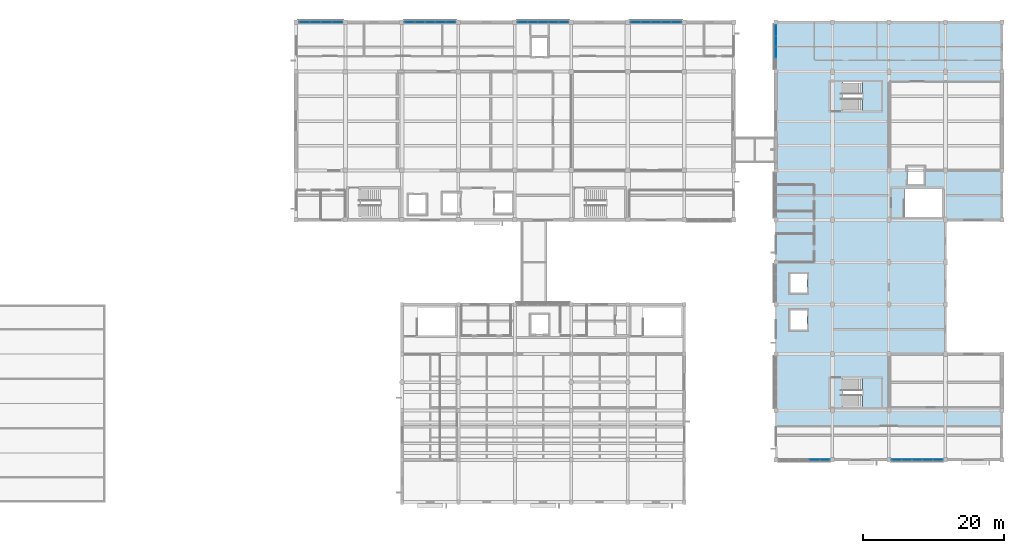
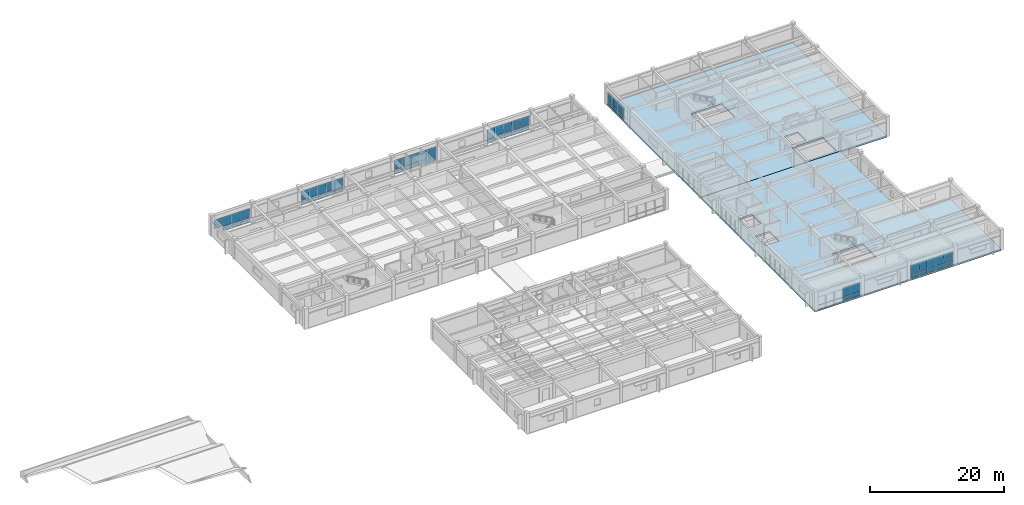
# One storey, part 18 of 33: 57 plates, 4 slabs, 9 elements without a shape of their own.
"""IFC4 building model written with IfcOpenShell, lengths in metres."""

from ifc_helpers import new_model, si_unit, direction, frame, origin, origin_2d, place, context, subcontext, project, spatial, polyline, rectangle, outline, extrude, material, layer, layer_set, type_object, element, aggregate, save


model = new_model("IFC4")

# Units and contexts
model_context = context("Model", 3, precision=1e-05, world=origin(), true_north=direction((0.0, 1.0)))
body_context = subcontext(model_context, "Body", "Model", "MODEL_VIEW")
ifc_project = project(units=[si_unit("LENGTHUNIT", "METRE"), si_unit("AREAUNIT", "SQUARE_METRE"), si_unit("VOLUMEUNIT", "CUBIC_METRE"), si_unit("PLANEANGLEUNIT", "RADIAN"), si_unit("MASSUNIT", "GRAM", prefix="KILO")], contexts=[model_context])

# Site, building, storey
site_placement = place(None, origin())
site = spatial("IfcSite", under=ifc_project, at=site_placement, CompositionType="ELEMENT")
building_placement = place(site_placement, origin())
building = spatial("IfcBuilding", under=site, at=building_placement, Name="Naurynzar Civic Courthouse", CompositionType="ELEMENT")
storey_placement = place(building_placement, frame((0.0, 0.0, 22.050048828125)))
storey = spatial("IfcBuildingStorey", under=building, at=storey_placement, Name="L06", CompositionType="ELEMENT", Elevation=22.050048828125)

# Curtain wall, plates
ifc_material_1 = material(Name="Aluminium 6063-T6", Category="aluminium")
ifc_layer_1 = layer(ifc_material_1, 0.179931640625)
ifc_layer_set_1 = layer_set([ifc_layer_1], Name="CW-UNIT-1500")
curtain_wall_type = type_object("IfcCurtainWallType", Name="CW-UNIT-1500", PredefinedType="NOTDEFINED", material=ifc_layer_set_1)
curtain_wall_1_placement = place(storey_placement, origin())
curtain_wall_1 = element("IfcCurtainWall", 1, at=curtain_wall_1_placement, inside=storey, type_object=curtain_wall_type, Name="V2 unitised curtain wall 43 L06", PredefinedType="NOTDEFINED")
ifc_material_2 = material(Name="Tempered Laminated Low-E Glass", Category="glass")
ifc_layer_2 = layer(ifc_material_2, 0.031982421875)
ifc_layer_set_2 = layer_set([ifc_layer_2], Name="CWP-IGU-32")
plate_type = type_object("IfcPlateType", Name="CWP-IGU-32", PredefinedType="CURTAIN_PANEL", material=ifc_layer_set_2)
plate_1_placement = place(storey_placement, frame((63.161865234375, 72.0, 0.8798828125), z_axis=(0.0, 0.0, 1.0), x_axis=(1.0, 0.0, 0.0)))
plate_1 = element("IfcPlate", 2, at=plate_1_placement, type_object=plate_type, Name="CW-01 panel 1.2", PredefinedType="CURTAIN_PANEL", context=body_context, shape_type="SweptSolid", body=[
    extrude(rectangle(XDim=1.478759765625, YDim=0.031982421875, at=origin_2d()), origin(), (0.0, 0.0, 1.0), 1.6201171875),
])
plate_2_placement = place(storey_placement, frame((64.715576171875, 72.0, 0.06005859375), z_axis=(0.0, 0.0, 1.0), x_axis=(1.0, 0.0, 0.0)))
plate_2 = element("IfcPlate", 3, at=plate_2_placement, type_object=plate_type, Name="CW-01 panel 2.1", PredefinedType="CURTAIN_PANEL", context=body_context, shape_type="SweptSolid", body=[
    extrude(rectangle(XDim=1.5087890625, YDim=0.031982421875, at=origin_2d()), origin(), (0.0, 0.0, 1.0), 0.760009765625),
])
plate_3_placement = place(storey_placement, frame((64.715576171875, 72.0, 0.8798828125), z_axis=(0.0, 0.0, 1.0), x_axis=(1.0, 0.0, 0.0)))
plate_3 = element("IfcPlate", 4, at=plate_3_placement, type_object=plate_type, Name="CW-01 panel 2.2", PredefinedType="CURTAIN_PANEL", context=body_context, shape_type="SweptSolid", body=[
    extrude(rectangle(XDim=1.5087890625, YDim=0.031982421875, at=origin_2d()), origin(), (0.0, 0.0, 1.0), 1.6201171875),
])
plate_4_placement = place(storey_placement, frame((66.284423828125, 72.0, 0.06005859375), z_axis=(0.0, 0.0, 1.0), x_axis=(1.0, 0.0, 0.0)))
plate_4 = element("IfcPlate", 5, at=plate_4_placement, type_object=plate_type, Name="CW-01 panel 3.1", PredefinedType="CURTAIN_PANEL", context=body_context, shape_type="SweptSolid", body=[
    extrude(rectangle(XDim=1.5087890625, YDim=0.031982421875, at=origin_2d()), origin(), (0.0, 0.0, 1.0), 0.760009765625),
])
plate_5_placement = place(storey_placement, frame((66.284423828125, 72.0, 0.8798828125), z_axis=(0.0, 0.0, 1.0), x_axis=(1.0, 0.0, 0.0)))
plate_5 = element("IfcPlate", 6, at=plate_5_placement, type_object=plate_type, Name="CW-01 panel 3.2", PredefinedType="CURTAIN_PANEL", context=body_context, shape_type="SweptSolid", body=[
    extrude(rectangle(XDim=1.5087890625, YDim=0.031982421875, at=origin_2d()), origin(), (0.0, 0.0, 1.0), 1.6201171875),
])
plate_6_placement = place(storey_placement, frame((67.838134765625, 72.0, 0.06005859375), z_axis=(0.0, 0.0, 1.0), x_axis=(1.0, 0.0, 0.0)))
plate_6 = element("IfcPlate", 7, at=plate_6_placement, type_object=plate_type, Name="CW-01 panel 4.1", PredefinedType="CURTAIN_PANEL", context=body_context, shape_type="SweptSolid", body=[
    extrude(rectangle(XDim=1.478759765625, YDim=0.031982421875, at=origin_2d()), origin(), (0.0, 0.0, 1.0), 0.760009765625),
])
plate_7_placement = place(storey_placement, frame((67.838134765625, 72.0, 0.8798828125), z_axis=(0.0, 0.0, 1.0), x_axis=(1.0, 0.0, 0.0)))
plate_7 = element("IfcPlate", 8, at=plate_7_placement, type_object=plate_type, Name="CW-01 panel 4.2", PredefinedType="CURTAIN_PANEL", context=body_context, shape_type="SweptSolid", body=[
    extrude(rectangle(XDim=1.478759765625, YDim=0.031982421875, at=origin_2d()), origin(), (0.0, 0.0, 1.0), 1.6201171875),
])
aggregate(curtain_wall_1, [plate_1, plate_2, plate_3, plate_4, plate_5, plate_6, plate_7])

curtain_wall_2_placement = place(storey_placement, origin())
curtain_wall_2 = element("IfcCurtainWall", 9, at=curtain_wall_2_placement, inside=storey, type_object=curtain_wall_type, Name="V2 unitised curtain wall 44 L06", PredefinedType="NOTDEFINED")
plate_8_placement = place(storey_placement, frame((78.10498046875, 72.0, 0.06005859375), z_axis=(0.0, 0.0, 1.0), x_axis=(1.0, 0.0, 0.0)))
plate_8 = element("IfcPlate", 10, at=plate_8_placement, type_object=plate_type, Name="CW-01 panel 1.1", PredefinedType="CURTAIN_PANEL", context=body_context, shape_type="SweptSolid", body=[
    extrude(rectangle(XDim=1.364990234375, YDim=0.031982421875, at=origin_2d()), origin(), (0.0, 0.0, 1.0), 0.760009765625),
])
plate_9_placement = place(storey_placement, frame((78.10498046875, 72.0, 0.8798828125), z_axis=(0.0, 0.0, 1.0), x_axis=(1.0, 0.0, 0.0)))
plate_9 = element("IfcPlate", 11, at=plate_9_placement, type_object=plate_type, Name="CW-01 panel 1.2", PredefinedType="CURTAIN_PANEL", context=body_context, shape_type="SweptSolid", body=[
    extrude(rectangle(XDim=1.364990234375, YDim=0.031982421875, at=origin_2d()), origin(), (0.0, 0.0, 1.0), 1.6201171875),
])
plate_10_placement = place(storey_placement, frame((79.544921875, 72.0, 0.06005859375), z_axis=(0.0, 0.0, 1.0), x_axis=(1.0, 0.0, 0.0)))
plate_10 = element("IfcPlate", 12, at=plate_10_placement, type_object=plate_type, Name="CW-01 panel 2.1", PredefinedType="CURTAIN_PANEL", context=body_context, shape_type="SweptSolid", body=[
    extrude(rectangle(XDim=1.39501953125, YDim=0.031982421875, at=origin_2d()), origin(), (0.0, 0.0, 1.0), 0.760009765625),
])
plate_11_placement = place(storey_placement, frame((79.544921875, 72.0, 0.8798828125), z_axis=(0.0, 0.0, 1.0), x_axis=(1.0, 0.0, 0.0)))
plate_11 = element("IfcPlate", 13, at=plate_11_placement, type_object=plate_type, Name="CW-01 panel 2.2", PredefinedType="CURTAIN_PANEL", context=body_context, shape_type="SweptSolid", body=[
    extrude(rectangle(XDim=1.39501953125, YDim=0.031982421875, at=origin_2d()), origin(), (0.0, 0.0, 1.0), 1.6201171875),
])
plate_12_placement = place(storey_placement, frame((81.0, 72.0, 0.06005859375), z_axis=(0.0, 0.0, 1.0), x_axis=(1.0, 0.0, 0.0)))
plate_12 = element("IfcPlate", 14, at=plate_12_placement, type_object=plate_type, Name="CW-01 panel 3.1", PredefinedType="CURTAIN_PANEL", context=body_context, shape_type="SweptSolid", body=[
    extrude(rectangle(XDim=1.39501953125, YDim=0.031982421875, at=origin_2d()), origin(), (0.0, 0.0, 1.0), 0.760009765625),
])
plate_13_placement = place(storey_placement, frame((81.0, 72.0, 0.8798828125), z_axis=(0.0, 0.0, 1.0), x_axis=(1.0, 0.0, 0.0)))
plate_13 = element("IfcPlate", 15, at=plate_13_placement, type_object=plate_type, Name="CW-01 panel 3.2", PredefinedType="CURTAIN_PANEL", context=body_context, shape_type="SweptSolid", body=[
    extrude(rectangle(XDim=1.39501953125, YDim=0.031982421875, at=origin_2d()), origin(), (0.0, 0.0, 1.0), 1.6201171875),
])
plate_14_placement = place(storey_placement, frame((82.455078125, 72.0, 0.06005859375), z_axis=(0.0, 0.0, 1.0), x_axis=(1.0, 0.0, 0.0)))
plate_14 = element("IfcPlate", 16, at=plate_14_placement, type_object=plate_type, Name="CW-01 panel 4.1", PredefinedType="CURTAIN_PANEL", context=body_context, shape_type="SweptSolid", body=[
    extrude(rectangle(XDim=1.39501953125, YDim=0.031982421875, at=origin_2d()), origin(), (0.0, 0.0, 1.0), 0.760009765625),
])
plate_15_placement = place(storey_placement, frame((82.455078125, 72.0, 0.8798828125), z_axis=(0.0, 0.0, 1.0), x_axis=(1.0, 0.0, 0.0)))
plate_15 = element("IfcPlate", 17, at=plate_15_placement, type_object=plate_type, Name="CW-01 panel 4.2", PredefinedType="CURTAIN_PANEL", context=body_context, shape_type="SweptSolid", body=[
    extrude(rectangle(XDim=1.39501953125, YDim=0.031982421875, at=origin_2d()), origin(), (0.0, 0.0, 1.0), 1.6201171875),
])
plate_16_placement = place(storey_placement, frame((83.89501953125, 72.0, 0.06005859375), z_axis=(0.0, 0.0, 1.0), x_axis=(1.0, 0.0, 0.0)))
plate_16 = element("IfcPlate", 18, at=plate_16_placement, type_object=plate_type, Name="CW-01 panel 5.1", PredefinedType="CURTAIN_PANEL", context=body_context, shape_type="SweptSolid", body=[
    extrude(rectangle(XDim=1.364990234375, YDim=0.031982421875, at=origin_2d()), origin(), (0.0, 0.0, 1.0), 0.760009765625),
])
plate_17_placement = place(storey_placement, frame((83.89501953125, 72.0, 0.8798828125), z_axis=(0.0, 0.0, 1.0), x_axis=(1.0, 0.0, 0.0)))
plate_17 = element("IfcPlate", 19, at=plate_17_placement, type_object=plate_type, Name="CW-01 panel 5.2", PredefinedType="CURTAIN_PANEL", context=body_context, shape_type="SweptSolid", body=[
    extrude(rectangle(XDim=1.364990234375, YDim=0.031982421875, at=origin_2d()), origin(), (0.0, 0.0, 1.0), 1.6201171875),
])
aggregate(curtain_wall_2, [plate_8, plate_9, plate_10, plate_11, plate_12, plate_13, plate_14, plate_15, plate_16, plate_17])

curtain_wall_3_placement = place(storey_placement, origin())
curtain_wall_3 = element("IfcCurtainWall", 20, at=curtain_wall_3_placement, inside=storey, type_object=curtain_wall_type, Name="V2 unitised curtain wall 45 L06", PredefinedType="NOTDEFINED")
plate_18_placement = place(storey_placement, frame((94.10498046875, 72.0, 0.06005859375), z_axis=(0.0, 0.0, 1.0), x_axis=(1.0, 0.0, 0.0)))
plate_18 = element("IfcPlate", 21, at=plate_18_placement, type_object=plate_type, Name="CW-01 panel 1.1", PredefinedType="CURTAIN_PANEL", context=body_context, shape_type="SweptSolid", body=[
    extrude(rectangle(XDim=1.364990234375, YDim=0.031982421875, at=origin_2d()), origin(), (0.0, 0.0, 1.0), 0.760009765625),
])
plate_19_placement = place(storey_placement, frame((94.10498046875, 72.0, 0.8798828125), z_axis=(0.0, 0.0, 1.0), x_axis=(1.0, 0.0, 0.0)))
plate_19 = element("IfcPlate", 22, at=plate_19_placement, type_object=plate_type, Name="CW-01 panel 1.2", PredefinedType="CURTAIN_PANEL", context=body_context, shape_type="SweptSolid", body=[
    extrude(rectangle(XDim=1.364990234375, YDim=0.031982421875, at=origin_2d()), origin(), (0.0, 0.0, 1.0), 1.6201171875),
])
plate_20_placement = place(storey_placement, frame((95.544921875, 72.0, 0.06005859375), z_axis=(0.0, 0.0, 1.0), x_axis=(1.0, 0.0, 0.0)))
plate_20 = element("IfcPlate", 23, at=plate_20_placement, type_object=plate_type, Name="CW-01 panel 2.1", PredefinedType="CURTAIN_PANEL", context=body_context, shape_type="SweptSolid", body=[
    extrude(rectangle(XDim=1.39501953125, YDim=0.031982421875, at=origin_2d()), origin(), (0.0, 0.0, 1.0), 0.760009765625),
])
plate_21_placement = place(storey_placement, frame((95.544921875, 72.0, 0.8798828125), z_axis=(0.0, 0.0, 1.0), x_axis=(1.0, 0.0, 0.0)))
plate_21 = element("IfcPlate", 24, at=plate_21_placement, type_object=plate_type, Name="CW-01 panel 2.2", PredefinedType="CURTAIN_PANEL", context=body_context, shape_type="SweptSolid", body=[
    extrude(rectangle(XDim=1.39501953125, YDim=0.031982421875, at=origin_2d()), origin(), (0.0, 0.0, 1.0), 1.6201171875),
])
plate_22_placement = place(storey_placement, frame((97.0, 72.0, 0.06005859375), z_axis=(0.0, 0.0, 1.0), x_axis=(1.0, 0.0, 0.0)))
plate_22 = element("IfcPlate", 25, at=plate_22_placement, type_object=plate_type, Name="CW-01 panel 3.1", PredefinedType="CURTAIN_PANEL", context=body_context, shape_type="SweptSolid", body=[
    extrude(rectangle(XDim=1.39501953125, YDim=0.031982421875, at=origin_2d()), origin(), (0.0, 0.0, 1.0), 0.760009765625),
])
plate_23_placement = place(storey_placement, frame((97.0, 72.0, 0.8798828125), z_axis=(0.0, 0.0, 1.0), x_axis=(1.0, 0.0, 0.0)))
plate_23 = element("IfcPlate", 26, at=plate_23_placement, type_object=plate_type, Name="CW-01 panel 3.2", PredefinedType="CURTAIN_PANEL", context=body_context, shape_type="SweptSolid", body=[
    extrude(rectangle(XDim=1.39501953125, YDim=0.031982421875, at=origin_2d()), origin(), (0.0, 0.0, 1.0), 1.6201171875),
])
plate_24_placement = place(storey_placement, frame((98.455078125, 72.0, 0.06005859375), z_axis=(0.0, 0.0, 1.0), x_axis=(1.0, 0.0, 0.0)))
plate_24 = element("IfcPlate", 27, at=plate_24_placement, type_object=plate_type, Name="CW-01 panel 4.1", PredefinedType="CURTAIN_PANEL", context=body_context, shape_type="SweptSolid", body=[
    extrude(rectangle(XDim=1.39501953125, YDim=0.031982421875, at=origin_2d()), origin(), (0.0, 0.0, 1.0), 0.760009765625),
])
plate_25_placement = place(storey_placement, frame((98.455078125, 72.0, 0.8798828125), z_axis=(0.0, 0.0, 1.0), x_axis=(1.0, 0.0, 0.0)))
plate_25 = element("IfcPlate", 28, at=plate_25_placement, type_object=plate_type, Name="CW-01 panel 4.2", PredefinedType="CURTAIN_PANEL", context=body_context, shape_type="SweptSolid", body=[
    extrude(rectangle(XDim=1.39501953125, YDim=0.031982421875, at=origin_2d()), origin(), (0.0, 0.0, 1.0), 1.6201171875),
])
plate_26_placement = place(storey_placement, frame((99.89501953125, 72.0, 0.06005859375), z_axis=(0.0, 0.0, 1.0), x_axis=(1.0, 0.0, 0.0)))
plate_26 = element("IfcPlate", 29, at=plate_26_placement, type_object=plate_type, Name="CW-01 panel 5.1", PredefinedType="CURTAIN_PANEL", context=body_context, shape_type="SweptSolid", body=[
    extrude(rectangle(XDim=1.364990234375, YDim=0.031982421875, at=origin_2d()), origin(), (0.0, 0.0, 1.0), 0.760009765625),
])
plate_27_placement = place(storey_placement, frame((99.89501953125, 72.0, 0.8798828125), z_axis=(0.0, 0.0, 1.0), x_axis=(1.0, 0.0, 0.0)))
plate_27 = element("IfcPlate", 30, at=plate_27_placement, type_object=plate_type, Name="CW-01 panel 5.2", PredefinedType="CURTAIN_PANEL", context=body_context, shape_type="SweptSolid", body=[
    extrude(rectangle(XDim=1.364990234375, YDim=0.031982421875, at=origin_2d()), origin(), (0.0, 0.0, 1.0), 1.6201171875),
])
aggregate(curtain_wall_3, [plate_18, plate_19, plate_20, plate_21, plate_22, plate_23, plate_24, plate_25, plate_26, plate_27])

curtain_wall_4_placement = place(storey_placement, origin())
curtain_wall_4 = element("IfcCurtainWall", 31, at=curtain_wall_4_placement, inside=storey, type_object=curtain_wall_type, Name="V2 unitised curtain wall 46 L06", PredefinedType="NOTDEFINED")
plate_28_placement = place(storey_placement, frame((110.10498046875, 72.0, 0.06005859375), z_axis=(0.0, 0.0, 1.0), x_axis=(1.0, 0.0, 0.0)))
plate_28 = element("IfcPlate", 32, at=plate_28_placement, type_object=plate_type, Name="CW-01 panel 1.1", PredefinedType="CURTAIN_PANEL", context=body_context, shape_type="SweptSolid", body=[
    extrude(rectangle(XDim=1.364990234375, YDim=0.031982421875, at=origin_2d()), origin(), (0.0, 0.0, 1.0), 0.760009765625),
])
plate_29_placement = place(storey_placement, frame((110.10498046875, 72.0, 0.8798828125), z_axis=(0.0, 0.0, 1.0), x_axis=(1.0, 0.0, 0.0)))
plate_29 = element("IfcPlate", 33, at=plate_29_placement, type_object=plate_type, Name="CW-01 panel 1.2", PredefinedType="CURTAIN_PANEL", context=body_context, shape_type="SweptSolid", body=[
    extrude(rectangle(XDim=1.364990234375, YDim=0.031982421875, at=origin_2d()), origin(), (0.0, 0.0, 1.0), 1.6201171875),
])
plate_30_placement = place(storey_placement, frame((111.544921875, 72.0, 0.06005859375), z_axis=(0.0, 0.0, 1.0), x_axis=(1.0, 0.0, 0.0)))
plate_30 = element("IfcPlate", 34, at=plate_30_placement, type_object=plate_type, Name="CW-01 panel 2.1", PredefinedType="CURTAIN_PANEL", context=body_context, shape_type="SweptSolid", body=[
    extrude(rectangle(XDim=1.39501953125, YDim=0.031982421875, at=origin_2d()), origin(), (0.0, 0.0, 1.0), 0.760009765625),
])
plate_31_placement = place(storey_placement, frame((111.544921875, 72.0, 0.8798828125), z_axis=(0.0, 0.0, 1.0), x_axis=(1.0, 0.0, 0.0)))
plate_31 = element("IfcPlate", 35, at=plate_31_placement, type_object=plate_type, Name="CW-01 panel 2.2", PredefinedType="CURTAIN_PANEL", context=body_context, shape_type="SweptSolid", body=[
    extrude(rectangle(XDim=1.39501953125, YDim=0.031982421875, at=origin_2d()), origin(), (0.0, 0.0, 1.0), 1.6201171875),
])
plate_32_placement = place(storey_placement, frame((113.0, 72.0, 0.06005859375), z_axis=(0.0, 0.0, 1.0), x_axis=(1.0, 0.0, 0.0)))
plate_32 = element("IfcPlate", 36, at=plate_32_placement, type_object=plate_type, Name="CW-01 panel 3.1", PredefinedType="CURTAIN_PANEL", context=body_context, shape_type="SweptSolid", body=[
    extrude(rectangle(XDim=1.39501953125, YDim=0.031982421875, at=origin_2d()), origin(), (0.0, 0.0, 1.0), 0.760009765625),
])
plate_33_placement = place(storey_placement, frame((113.0, 72.0, 0.8798828125), z_axis=(0.0, 0.0, 1.0), x_axis=(1.0, 0.0, 0.0)))
plate_33 = element("IfcPlate", 37, at=plate_33_placement, type_object=plate_type, Name="CW-01 panel 3.2", PredefinedType="CURTAIN_PANEL", context=body_context, shape_type="SweptSolid", body=[
    extrude(rectangle(XDim=1.39501953125, YDim=0.031982421875, at=origin_2d()), origin(), (0.0, 0.0, 1.0), 1.6201171875),
])
plate_34_placement = place(storey_placement, frame((114.455078125, 72.0, 0.06005859375), z_axis=(0.0, 0.0, 1.0), x_axis=(1.0, 0.0, 0.0)))
plate_34 = element("IfcPlate", 38, at=plate_34_placement, type_object=plate_type, Name="CW-01 panel 4.1", PredefinedType="CURTAIN_PANEL", context=body_context, shape_type="SweptSolid", body=[
    extrude(rectangle(XDim=1.39501953125, YDim=0.031982421875, at=origin_2d()), origin(), (0.0, 0.0, 1.0), 0.760009765625),
])
plate_35_placement = place(storey_placement, frame((114.455078125, 72.0, 0.8798828125), z_axis=(0.0, 0.0, 1.0), x_axis=(1.0, 0.0, 0.0)))
plate_35 = element("IfcPlate", 39, at=plate_35_placement, type_object=plate_type, Name="CW-01 panel 4.2", PredefinedType="CURTAIN_PANEL", context=body_context, shape_type="SweptSolid", body=[
    extrude(rectangle(XDim=1.39501953125, YDim=0.031982421875, at=origin_2d()), origin(), (0.0, 0.0, 1.0), 1.6201171875),
])
plate_36_placement = place(storey_placement, frame((115.89501953125, 72.0, 0.06005859375), z_axis=(0.0, 0.0, 1.0), x_axis=(1.0, 0.0, 0.0)))
plate_36 = element("IfcPlate", 40, at=plate_36_placement, type_object=plate_type, Name="CW-01 panel 5.1", PredefinedType="CURTAIN_PANEL", context=body_context, shape_type="SweptSolid", body=[
    extrude(rectangle(XDim=1.364990234375, YDim=0.031982421875, at=origin_2d()), origin(), (0.0, 0.0, 1.0), 0.760009765625),
])
plate_37_placement = place(storey_placement, frame((115.89501953125, 72.0, 0.8798828125), z_axis=(0.0, 0.0, 1.0), x_axis=(1.0, 0.0, 0.0)))
plate_37 = element("IfcPlate", 41, at=plate_37_placement, type_object=plate_type, Name="CW-01 panel 5.2", PredefinedType="CURTAIN_PANEL", context=body_context, shape_type="SweptSolid", body=[
    extrude(rectangle(XDim=1.364990234375, YDim=0.031982421875, at=origin_2d()), origin(), (0.0, 0.0, 1.0), 1.6201171875),
])
aggregate(curtain_wall_4, [plate_28, plate_29, plate_30, plate_31, plate_32, plate_33, plate_34, plate_35, plate_36, plate_37])

curtain_wall_5_placement = place(storey_placement, origin())
curtain_wall_5 = element("IfcCurtainWall", 42, at=curtain_wall_5_placement, inside=storey, type_object=curtain_wall_type, Name="V5 unitised curtain wall 109 L06", PredefinedType="NOTDEFINED")
plate_38_placement = place(storey_placement, frame((130.0, 67.71240234375, 0.06005859375), z_axis=(0.0, 0.0, 1.0), x_axis=(0.0, 1.0, 0.0)))
plate_38 = element("IfcPlate", 43, at=plate_38_placement, type_object=plate_type, Name="CW-01 panel 2.1", PredefinedType="CURTAIN_PANEL", context=body_context, shape_type="SweptSolid", body=[
    extrude(rectangle(XDim=1.514892578125, YDim=0.031982421875, at=origin_2d()), origin(), (0.0, 0.0, 1.0), 0.760009765625),
])
plate_39_placement = place(storey_placement, frame((130.0, 67.71240234375, 0.8798828125), z_axis=(0.0, 0.0, 1.0), x_axis=(0.0, 1.0, 0.0)))
plate_39 = element("IfcPlate", 44, at=plate_39_placement, type_object=plate_type, Name="CW-01 panel 2.2", PredefinedType="CURTAIN_PANEL", context=body_context, shape_type="SweptSolid", body=[
    extrude(rectangle(XDim=1.514892578125, YDim=0.031982421875, at=origin_2d()), origin(), (0.0, 0.0, 1.0), 1.570068359375),
])
plate_40_placement = place(storey_placement, frame((130.0, 69.28759765625, 0.06005859375), z_axis=(0.0, 0.0, 1.0), x_axis=(0.0, 1.0, 0.0)))
plate_40 = element("IfcPlate", 45, at=plate_40_placement, type_object=plate_type, Name="CW-01 panel 3.1", PredefinedType="CURTAIN_PANEL", context=body_context, shape_type="SweptSolid", body=[
    extrude(rectangle(XDim=1.514892578125, YDim=0.031982421875, at=origin_2d()), origin(), (0.0, 0.0, 1.0), 0.760009765625),
])
plate_41_placement = place(storey_placement, frame((130.0, 69.28759765625, 0.8798828125), z_axis=(0.0, 0.0, 1.0), x_axis=(0.0, 1.0, 0.0)))
plate_41 = element("IfcPlate", 46, at=plate_41_placement, type_object=plate_type, Name="CW-01 panel 3.2", PredefinedType="CURTAIN_PANEL", context=body_context, shape_type="SweptSolid", body=[
    extrude(rectangle(XDim=1.514892578125, YDim=0.031982421875, at=origin_2d()), origin(), (0.0, 0.0, 1.0), 1.570068359375),
])
plate_42_placement = place(storey_placement, frame((130.0, 70.847412109375, 0.06005859375), z_axis=(0.0, 0.0, 1.0), x_axis=(0.0, 1.0, 0.0)))
plate_42 = element("IfcPlate", 47, at=plate_42_placement, type_object=plate_type, Name="CW-01 panel 4.1", PredefinedType="CURTAIN_PANEL", context=body_context, shape_type="SweptSolid", body=[
    extrude(rectangle(XDim=1.485107421875, YDim=0.031982421875, at=origin_2d()), origin(), (0.0, 0.0, 1.0), 0.760009765625),
])
plate_43_placement = place(storey_placement, frame((130.0, 70.847412109375, 0.8798828125), z_axis=(0.0, 0.0, 1.0), x_axis=(0.0, 1.0, 0.0)))
plate_43 = element("IfcPlate", 48, at=plate_43_placement, type_object=plate_type, Name="CW-01 panel 4.2", PredefinedType="CURTAIN_PANEL", context=body_context, shape_type="SweptSolid", body=[
    extrude(rectangle(XDim=1.485107421875, YDim=0.031982421875, at=origin_2d()), origin(), (0.0, 0.0, 1.0), 1.570068359375),
])
aggregate(curtain_wall_5, [plate_38, plate_39, plate_40, plate_41, plate_42, plate_43])

curtain_wall_6_placement = place(storey_placement, origin())
curtain_wall_6 = element("IfcCurtainWall", 49, at=curtain_wall_6_placement, inside=storey, type_object=curtain_wall_type, Name="V5 unitised curtain wall 110 L06", PredefinedType="NOTDEFINED")
plate_44_placement = place(storey_placement, frame((152.905029296875, 10.0, 0.06005859375), z_axis=(0.0, 0.0, 1.0), x_axis=(-1.0, 0.0, 0.0)))
plate_44 = element("IfcPlate", 50, at=plate_44_placement, type_object=plate_type, Name="CW-01 panel 1.1", PredefinedType="CURTAIN_PANEL", context=body_context, shape_type="SweptSolid", body=[
    extrude(rectangle(XDim=1.3701171875, YDim=0.031982421875, at=origin_2d()), origin(), (0.0, 0.0, 1.0), 0.760009765625),
])
plate_45_placement = place(storey_placement, frame((152.905029296875, 10.0, 0.8798828125), z_axis=(0.0, 0.0, 1.0), x_axis=(-1.0, 0.0, 0.0)))
plate_45 = element("IfcPlate", 51, at=plate_45_placement, type_object=plate_type, Name="CW-01 panel 1.2", PredefinedType="CURTAIN_PANEL", context=body_context, shape_type="SweptSolid", body=[
    extrude(rectangle(XDim=1.3701171875, YDim=0.031982421875, at=origin_2d()), origin(), (0.0, 0.0, 1.0), 1.570068359375),
])
plate_46_placement = place(storey_placement, frame((151.4599609375, 10.0, 0.06005859375), z_axis=(0.0, 0.0, 1.0), x_axis=(-1.0, 0.0, 0.0)))
plate_46 = element("IfcPlate", 52, at=plate_46_placement, type_object=plate_type, Name="CW-01 panel 2.1", PredefinedType="CURTAIN_PANEL", context=body_context, shape_type="SweptSolid", body=[
    extrude(rectangle(XDim=1.39990234375, YDim=0.031982421875, at=origin_2d()), origin(), (0.0, 0.0, 1.0), 0.760009765625),
])
plate_47_placement = place(storey_placement, frame((151.4599609375, 10.0, 0.8798828125), z_axis=(0.0, 0.0, 1.0), x_axis=(-1.0, 0.0, 0.0)))
plate_47 = element("IfcPlate", 53, at=plate_47_placement, type_object=plate_type, Name="CW-01 panel 2.2", PredefinedType="CURTAIN_PANEL", context=body_context, shape_type="SweptSolid", body=[
    extrude(rectangle(XDim=1.39990234375, YDim=0.031982421875, at=origin_2d()), origin(), (0.0, 0.0, 1.0), 1.570068359375),
])
plate_48_placement = place(storey_placement, frame((150.0, 10.0, 0.06005859375), z_axis=(0.0, 0.0, 1.0), x_axis=(-1.0, 0.0, 0.0)))
plate_48 = element("IfcPlate", 54, at=plate_48_placement, type_object=plate_type, Name="CW-01 panel 3.1", PredefinedType="CURTAIN_PANEL", context=body_context, shape_type="SweptSolid", body=[
    extrude(rectangle(XDim=1.39990234375, YDim=0.031982421875, at=origin_2d()), origin(), (0.0, 0.0, 1.0), 0.760009765625),
])
plate_49_placement = place(storey_placement, frame((150.0, 10.0, 0.8798828125), z_axis=(0.0, 0.0, 1.0), x_axis=(-1.0, 0.0, 0.0)))
plate_49 = element("IfcPlate", 55, at=plate_49_placement, type_object=plate_type, Name="CW-01 panel 3.2", PredefinedType="CURTAIN_PANEL", context=body_context, shape_type="SweptSolid", body=[
    extrude(rectangle(XDim=1.39990234375, YDim=0.031982421875, at=origin_2d()), origin(), (0.0, 0.0, 1.0), 1.570068359375),
])
plate_50_placement = place(storey_placement, frame((148.5400390625, 10.0, 0.06005859375), z_axis=(0.0, 0.0, 1.0), x_axis=(-1.0, 0.0, 0.0)))
plate_50 = element("IfcPlate", 56, at=plate_50_placement, type_object=plate_type, Name="CW-01 panel 4.1", PredefinedType="CURTAIN_PANEL", context=body_context, shape_type="SweptSolid", body=[
    extrude(rectangle(XDim=1.39990234375, YDim=0.031982421875, at=origin_2d()), origin(), (0.0, 0.0, 1.0), 0.760009765625),
])
plate_51_placement = place(storey_placement, frame((148.5400390625, 10.0, 0.8798828125), z_axis=(0.0, 0.0, 1.0), x_axis=(-1.0, 0.0, 0.0)))
plate_51 = element("IfcPlate", 57, at=plate_51_placement, type_object=plate_type, Name="CW-01 panel 4.2", PredefinedType="CURTAIN_PANEL", context=body_context, shape_type="SweptSolid", body=[
    extrude(rectangle(XDim=1.39990234375, YDim=0.031982421875, at=origin_2d()), origin(), (0.0, 0.0, 1.0), 1.570068359375),
])
plate_52_placement = place(storey_placement, frame((147.094970703125, 10.0, 0.06005859375), z_axis=(0.0, 0.0, 1.0), x_axis=(-1.0, 0.0, 0.0)))
plate_52 = element("IfcPlate", 58, at=plate_52_placement, type_object=plate_type, Name="CW-01 panel 5.1", PredefinedType="CURTAIN_PANEL", context=body_context, shape_type="SweptSolid", body=[
    extrude(rectangle(XDim=1.3701171875, YDim=0.031982421875, at=origin_2d()), origin(), (0.0, 0.0, 1.0), 0.760009765625),
])
plate_53_placement = place(storey_placement, frame((147.094970703125, 10.0, 0.8798828125), z_axis=(0.0, 0.0, 1.0), x_axis=(-1.0, 0.0, 0.0)))
plate_53 = element("IfcPlate", 59, at=plate_53_placement, type_object=plate_type, Name="CW-01 panel 5.2", PredefinedType="CURTAIN_PANEL", context=body_context, shape_type="SweptSolid", body=[
    extrude(rectangle(XDim=1.3701171875, YDim=0.031982421875, at=origin_2d()), origin(), (0.0, 0.0, 1.0), 1.570068359375),
])
aggregate(curtain_wall_6, [plate_44, plate_45, plate_46, plate_47, plate_48, plate_49, plate_50, plate_51, plate_52, plate_53])

curtain_wall_7_placement = place(storey_placement, origin())
curtain_wall_7 = element("IfcCurtainWall", 60, at=curtain_wall_7_placement, inside=storey, type_object=curtain_wall_type, Name="V5 unitised curtain wall 111 L06", PredefinedType="NOTDEFINED")
plate_54_placement = place(storey_placement, frame((136.905029296875, 10.0, 0.06005859375), z_axis=(0.0, 0.0, 1.0), x_axis=(-1.0, 0.0, 0.0)))
plate_54 = element("IfcPlate", 61, at=plate_54_placement, type_object=plate_type, Name="CW-01 panel 1.1", PredefinedType="CURTAIN_PANEL", context=body_context, shape_type="SweptSolid", body=[
    extrude(rectangle(XDim=1.3701171875, YDim=0.031982421875, at=origin_2d()), origin(), (0.0, 0.0, 1.0), 0.760009765625),
])
plate_55_placement = place(storey_placement, frame((136.905029296875, 10.0, 0.8798828125), z_axis=(0.0, 0.0, 1.0), x_axis=(-1.0, 0.0, 0.0)))
plate_55 = element("IfcPlate", 62, at=plate_55_placement, type_object=plate_type, Name="CW-01 panel 1.2", PredefinedType="CURTAIN_PANEL", context=body_context, shape_type="SweptSolid", body=[
    extrude(rectangle(XDim=1.3701171875, YDim=0.031982421875, at=origin_2d()), origin(), (0.0, 0.0, 1.0), 1.570068359375),
])
plate_56_placement = place(storey_placement, frame((135.4599609375, 10.0, 0.06005859375), z_axis=(0.0, 0.0, 1.0), x_axis=(-1.0, 0.0, 0.0)))
plate_56 = element("IfcPlate", 63, at=plate_56_placement, type_object=plate_type, Name="CW-01 panel 2.1", PredefinedType="CURTAIN_PANEL", context=body_context, shape_type="SweptSolid", body=[
    extrude(rectangle(XDim=1.39990234375, YDim=0.031982421875, at=origin_2d()), origin(), (0.0, 0.0, 1.0), 0.760009765625),
])
plate_57_placement = place(storey_placement, frame((135.4599609375, 10.0, 0.8798828125), z_axis=(0.0, 0.0, 1.0), x_axis=(-1.0, 0.0, 0.0)))
plate_57 = element("IfcPlate", 64, at=plate_57_placement, type_object=plate_type, Name="CW-01 panel 2.2", PredefinedType="CURTAIN_PANEL", context=body_context, shape_type="SweptSolid", body=[
    extrude(rectangle(XDim=1.39990234375, YDim=0.031982421875, at=origin_2d()), origin(), (0.0, 0.0, 1.0), 1.570068359375),
])
aggregate(curtain_wall_7, [plate_54, plate_55, plate_56, plate_57])

# Stair, slab
ifc_material_3 = material(Name="Concrete C35/45", Category="concrete")
stair_type = type_object("IfcStairType", Name="STAIR-CORE-1600", PredefinedType="TWO_STRAIGHT_RUN_STAIR", material=ifc_material_3)
stair_1_placement = place(storey_placement, origin())
stair_1 = element("IfcStair", 65, at=stair_1_placement, inside=storey, type_object=stair_type, Name="Enclosed escape stair ST-V5A L06", PredefinedType="TWO_STRAIGHT_RUN_STAIR")
ifc_material_4 = material(Name="Concrete C35/45", Category="concrete")
ifc_layer_3 = layer(ifc_material_4, 0.199951171875)
ifc_layer_set_3 = layer_set([ifc_layer_3], Name="SLB-LAND-200")
slab_type_1 = type_object("IfcSlabType", Name="SLB-LAND-200", PredefinedType="LANDING", material=ifc_layer_set_3)
slab_1_placement = place(storey_placement, frame((0.0, 0.0, 1.675048828125)))
slab_1 = element("IfcSlab", 66, at=slab_1_placement, type_object=slab_type_1, Name="ST-V5A-L06 landing 1", PredefinedType="LANDING", context=body_context, shape_type="SweptSolid", body=[
    extrude(outline(polyline([(142.280029296875, 17.3798828125), (144.969970703125, 17.3798828125), (144.969970703125, 21.6201171875), (142.280029296875, 21.6201171875), (142.280029296875, 17.3798828125)])), origin(), (0.0, 0.0, 1.0), 0.199951171875),
])
aggregate(stair_1, [slab_1])

stair_2_placement = place(storey_placement, origin())
stair_2 = element("IfcStair", 67, at=stair_2_placement, inside=storey, type_object=stair_type, Name="Enclosed escape stair ST-V5B L06", PredefinedType="TWO_STRAIGHT_RUN_STAIR")
slab_2_placement = place(storey_placement, frame((0.0, 0.0, 1.675048828125)))
slab_2 = element("IfcSlab", 68, at=slab_2_placement, type_object=slab_type_1, Name="ST-V5B-L06 landing 1", PredefinedType="LANDING", context=body_context, shape_type="SweptSolid", body=[
    extrude(outline(polyline([(142.280029296875, 59.3798828125), (144.969970703125, 59.3798828125), (144.969970703125, 63.6201171875), (142.280029296875, 63.6201171875), (142.280029296875, 59.3798828125)])), origin(), (0.0, 0.0, 1.0), 0.199951171875),
])
aggregate(stair_2, [slab_2])

# Slabs
ifc_material_5 = material(Name="Concrete C35/45", Category="concrete")
ifc_layer_4 = layer(ifc_material_5, 0.280029296875)
ifc_layer_set_4 = layer_set([ifc_layer_4], Name="SLB-PT-280")
slab_type_2 = type_object("IfcSlabType", Name="SLB-PT-280", PredefinedType="FLOOR", material=ifc_layer_set_4)
slab_3_placement = place(storey_placement, frame((0.0, 0.0, -0.280029296875)))
element("IfcSlab", 69, at=slab_3_placement, inside=storey, type_object=slab_type_2, Name="V5 floor slab L06 S", PredefinedType="FLOOR", context=body_context, shape_type="SweptSolid", body=[
    extrude(outline(polyline([(162.0, 10.0), (130.0, 10.0), (130.0, 44.0), (154.0, 44.0), (154.0, 25.0), (162.0, 25.0), (162.0, 10.0)]), holes=[polyline([(139.47998046875, 17.5), (144.85009765625, 17.5), (144.85009765625, 21.5), (139.47998046875, 21.5), (139.47998046875, 17.5)]), polyline([(132.0, 33.64990234375), (134.39990234375, 33.64990234375), (134.39990234375, 36.35009765625), (132.0, 36.35009765625), (132.0, 33.64990234375)]), polyline([(132.0, 28.39990234375), (134.39990234375, 28.39990234375), (134.39990234375, 31.199951171875), (132.0, 31.199951171875), (132.0, 28.39990234375)])]), origin(), (0.0, 0.0, 1.0), 0.280029296875),
])
slab_4_placement = place(storey_placement, frame((0.0, 0.0, -0.280029296875)))
element("IfcSlab", 70, at=slab_4_placement, inside=storey, type_object=slab_type_2, Name="V5 floor slab L06 N", PredefinedType="FLOOR", context=body_context, shape_type="SweptSolid", body=[
    extrude(outline(polyline([(162.0, 44.0), (162.0, 72.0), (130.0, 72.0), (130.0, 44.0), (162.0, 44.0)]), holes=[polyline([(139.47998046875, 59.5), (144.85009765625, 59.5), (144.85009765625, 63.5), (139.47998046875, 63.5), (139.47998046875, 59.5)]), polyline([(148.179931640625, 44.39990234375), (153.550048828125, 44.39990234375), (153.550048828125, 48.39990234375), (148.179931640625, 48.39990234375), (148.179931640625, 44.39990234375)]), polyline([(148.64990234375, 49.050048828125), (150.949951171875, 49.050048828125), (150.949951171875, 51.449951171875), (148.64990234375, 51.449951171875), (148.64990234375, 49.050048828125)])]), origin(), (0.0, 0.0, 1.0), 0.280029296875),
])

save(model, "model.ifc")
